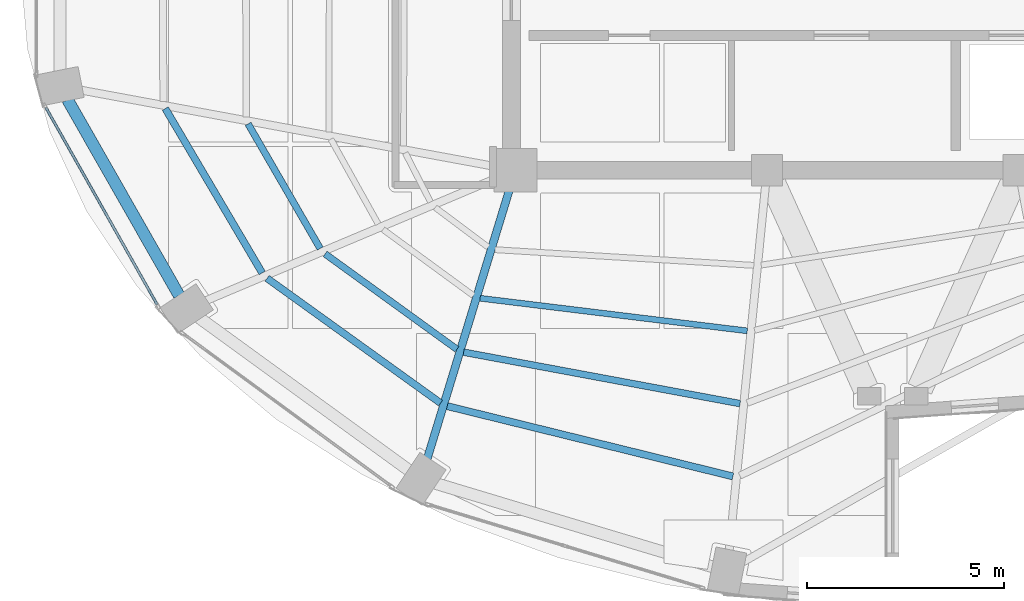
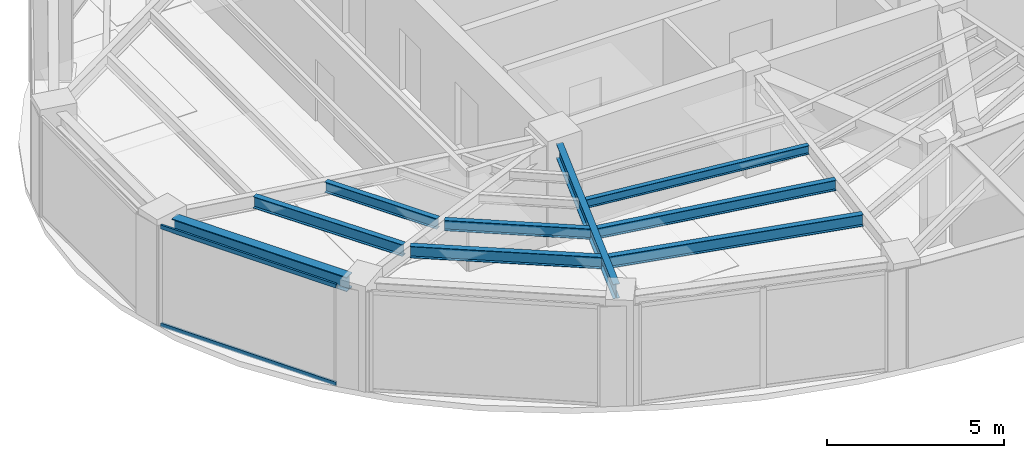
# One storey, part 3 of 22: 9 beams, 2 members, 1 element without a shape of its own.
"""IFC4 building model written with IfcOpenShell, lengths in metres."""

import ifcopenshell
import ifcopenshell.guid

model = None  # the IFC model being written
_history = None  # IfcOwnerHistory: only IFC2X3 demands one
_inside = {}  # id of a spatial element -> (the spatial element, [elements in it])
_under = {}  # id of a project, library or spatial element -> (it, [spatial elements below it])
_declared = {}  # id of a project -> (the project, [libraries it declares])
_typed = {}  # id of a type object -> (the type object, [elements of that type])
_made_of = {}  # id of a material, layer set ... -> (it, [elements and type objects made of it])


def new_model(schema):
    """Start an empty IFC model of exactly this schema.

    Asked for "IFC4X3", IfcOpenShell would pick the latest addendum, in which some entities
    have other attributes; the version numbers below select the first issue.
    IFC2X3 requires an IfcOwnerHistory on every rooted entity: one is made here for all.
    """
    global model, _history
    if schema == "IFC4X3":
        model = ifcopenshell.file(schema_version=(4, 3, 0, 0))
    else:
        model = ifcopenshell.file(schema=schema)
    _inside.clear()
    _under.clear()
    _declared.clear()
    _typed.clear()
    _made_of.clear()
    _history = None
    if model.schema == "IFC2X3":
        org = make("IfcOrganization", Name="unknown")
        user = make(
            "IfcPersonAndOrganization",
            ThePerson=make("IfcPerson", FamilyName="unknown"),
            TheOrganization=org,
        )
        app = make(
            "IfcApplication",
            ApplicationDeveloper=org,
            Version="unknown",
            ApplicationFullName="unknown",
            ApplicationIdentifier="unknown",
        )
        _history = make(
            "IfcOwnerHistory",
            OwningUser=user,
            OwningApplication=app,
            ChangeAction="ADDED",
            CreationDate=0,
        )
    return model


def make(cls, **values):
    """One entity of the class cls with the attributes given. An attribute that is None is left unset."""
    return model.create_entity(
        cls, **{name: value for name, value in values.items() if value is not None}
    )


def rooted(cls, **values):
    """An entity with a GlobalId (a new one), such as an element, a storey or a relation."""
    return make(cls, GlobalId=ifcopenshell.guid.new(), OwnerHistory=_history, **values)


def si_unit(unit_type, name, prefix=None):
    """IfcSIUnit, for example si_unit("LENGTHUNIT", "METRE", prefix="MILLI")."""
    return make("IfcSIUnit", UnitType=unit_type, Prefix=prefix, Name=name)


def assignment(units):
    """IfcUnitAssignment: the units of a project."""
    return None if units is None else make("IfcUnitAssignment", Units=units)


def point(xyz):
    """IfcCartesianPoint."""
    return None if xyz is None else make("IfcCartesianPoint", Coordinates=xyz)


def direction(xyz):
    """IfcDirection."""
    return None if xyz is None else make("IfcDirection", DirectionRatios=xyz)


def frame(location, z_axis=None, x_axis=None):
    """IfcAxis2Placement3D, a coordinate frame: its origin and axes. An axis left out is left unset."""
    return make(
        "IfcAxis2Placement3D",
        Location=point(location),
        Axis=direction(z_axis),
        RefDirection=direction(x_axis),
    )


def frame_2d(location, x_axis=None):
    """IfcAxis2Placement2D, a coordinate frame in the plane: its origin and x axis."""
    return make(
        "IfcAxis2Placement2D", Location=point(location), RefDirection=direction(x_axis)
    )


def origin():
    """The frame at (0, 0, 0) with its axes left unset."""
    return frame((0.0, 0.0, 0.0))


def origin_2d():
    """The frame at (0, 0) in the plane with its x axis left unset."""
    return frame_2d((0.0, 0.0))


def place(relative_to, where):
    """IfcLocalPlacement: puts the frame where relative to a parent placement (None: the world)."""
    return make(
        "IfcLocalPlacement", PlacementRelTo=relative_to, RelativePlacement=where
    )


def context(
    kind, dimensions, precision=None, world=None, true_north=None, identifier=None
):
    """IfcGeometricRepresentationContext, for example the 3D "Model" context."""
    return make(
        "IfcGeometricRepresentationContext",
        ContextIdentifier=identifier,
        ContextType=kind,
        CoordinateSpaceDimension=dimensions,
        Precision=precision,
        WorldCoordinateSystem=world,
        TrueNorth=true_north,
    )


def subcontext(parent, identifier, kind, view, scale=None):
    """IfcGeometricRepresentationSubContext, for example "Body" below "Model"."""
    return make(
        "IfcGeometricRepresentationSubContext",
        ContextIdentifier=identifier,
        ContextType=kind,
        ParentContext=parent,
        TargetScale=scale,
        TargetView=view,
    )


def project(units=None, contexts=None):
    """IfcProject with its units and contexts."""
    return rooted(
        "IfcProject",
        Name="project",
        RepresentationContexts=contexts,
        UnitsInContext=assignment(units),
    )


def spatial(cls, under=None, at=None, **own):
    """A site, building, storey or space (cls), placed at a placement, below another one or the project."""
    s = rooted(cls, ObjectPlacement=at, **own)
    if under is not None:
        _under.setdefault(under.id(), (under, []))[1].append(s)
    return s


def profile(cls, at=None, kind="AREA", **sizes):
    """A parametric profile (cls). Its sizes go by their IFC names, for example OverallWidth=200.0."""
    return make(cls, ProfileType=kind, Position=at, **sizes)


def hollow_rectangle(**sizes):
    """IfcRectangleHollowProfileDef."""
    return profile("IfcRectangleHollowProfileDef", **sizes)


def i_section(**sizes):
    """IfcIShapeProfileDef."""
    return profile("IfcIShapeProfileDef", **sizes)


def extrude(swept, where, along, depth):
    """IfcExtrudedAreaSolid: the profile swept, set in the frame where, extruded along a direction by depth."""
    return make(
        "IfcExtrudedAreaSolid",
        SweptArea=swept,
        Position=where,
        ExtrudedDirection=direction(along),
        Depth=depth,
    )


def shape(context_of_items, identifier, shape_type, items):
    """IfcShapeRepresentation: the items that make up one representation, for example the "Body"."""
    return make(
        "IfcShapeRepresentation",
        ContextOfItems=context_of_items,
        RepresentationIdentifier=identifier,
        RepresentationType=shape_type,
        Items=items,
    )


def material(Name=None, Category=None):
    """IfcMaterial."""
    return make("IfcMaterial", Name=Name, Category=Category)


def layer(
    of_material, thickness, ventilated=None, Name=None, Category=None, Priority=None
):
    """IfcMaterialLayer: one layer of a wall or slab, of a material (None: an air gap)."""
    return make(
        "IfcMaterialLayer",
        Material=of_material,
        LayerThickness=thickness,
        IsVentilated=ventilated,
        Name=Name,
        Category=Category,
        Priority=Priority,
    )


def layer_set(layers, Name=None):
    """IfcMaterialLayerSet."""
    return make("IfcMaterialLayerSet", MaterialLayers=layers, LayerSetName=Name)


def material_profile(
    of_material, cross_section, Name=None, Category=None, Priority=None
):
    """IfcMaterialProfile: a cross section and its material."""
    return make(
        "IfcMaterialProfile",
        Name=Name,
        Material=of_material,
        Profile=cross_section,
        Priority=Priority,
        Category=Category,
    )


def profile_set(profiles, Name=None, composite=None):
    """IfcMaterialProfileSet."""
    return make(
        "IfcMaterialProfileSet",
        Name=Name,
        MaterialProfiles=profiles,
        CompositeProfile=composite,
    )


def made_of(thing, what):
    """Note that an element or type object is made of a material, layer set ...; save() writes the relation."""
    if what is not None:
        _made_of.setdefault(what.id(), (what, []))[1].append(thing)
    return thing


def type_object(cls, material=None, **own):
    """A type object (cls), such as IfcWallType, which elements share."""
    return made_of(rooted(cls, **own), material)


def element(
    cls,
    number,
    at=None,
    inside=None,
    cuts=None,
    type_object=None,
    material=None,
    context=None,
    identifier="Body",
    shape_type=None,
    held_by="IfcProductDefinitionShape",
    body=None,
    shapes=None,
    **own,
):
    """One element of the class cls, such as IfcWall. Its Tag is "e" and its number.

    at: its placement. inside: the storey or other place that contains it. cuts: it is an
    opening in that element (IfcRelVoidsElement). A single representation is given by context,
    identifier, shape_type and body (its items); several are given by shapes. held_by: the class
    of the entity that holds the representations. save() writes the other relations.
    """
    e = rooted(cls, Tag="e%d" % number, ObjectPlacement=at, **own)
    if body is not None:
        shapes = [shape(context, identifier, shape_type, body)]
    if shapes is not None:
        e.Representation = make(held_by, Representations=shapes)
    if inside is not None:
        _inside.setdefault(inside.id(), (inside, []))[1].append(e)
    if cuts is not None:
        rooted(
            "IfcRelVoidsElement", RelatingBuildingElement=cuts, RelatedOpeningElement=e
        )
    if type_object is not None:
        _typed.setdefault(type_object.id(), (type_object, []))[1].append(e)
    return made_of(e, material)


def aggregate(whole, parts):
    """IfcRelAggregates: a whole, such as a stair, and the parts it consists of."""
    return rooted("IfcRelAggregates", RelatingObject=whole, RelatedObjects=parts)


def save(model, path):
    """Write the relations noted so far, then the file.

    IfcRelAggregates (storeys below a building ...), IfcRelContainedInSpatialStructure (elements
    in a storey), IfcRelDefinesByType, IfcRelAssociatesMaterial and IfcRelDeclares: one each for
    every whole, place, type object, material and project.
    """
    for whole, parts in _under.values():
        aggregate(whole, parts)
    for where, things in _inside.values():
        rooted(
            "IfcRelContainedInSpatialStructure",
            RelatedElements=things,
            RelatingStructure=where,
        )
    for kind, things in _typed.values():
        rooted("IfcRelDefinesByType", RelatedObjects=things, RelatingType=kind)
    for what, things in _made_of.values():
        rooted("IfcRelAssociatesMaterial", RelatedObjects=things, RelatingMaterial=what)
    for by, libraries in _declared.values():
        rooted("IfcRelDeclares", RelatingContext=by, RelatedDefinitions=libraries)
    model.write(path)


model = new_model("IFC4")

# Units and contexts
model_context = context("Model", 3, precision=1e-05, world=origin(), true_north=direction((0.0, 1.0)))
body_context = subcontext(model_context, "Body", "Model", "MODEL_VIEW")
ifc_project = project(units=[si_unit("LENGTHUNIT", "METRE"), si_unit("AREAUNIT", "SQUARE_METRE"), si_unit("VOLUMEUNIT", "CUBIC_METRE"), si_unit("PLANEANGLEUNIT", "RADIAN"), si_unit("MASSUNIT", "GRAM", prefix="KILO")], contexts=[model_context])

# Site, building, storey
site_placement = place(None, origin())
site = spatial("IfcSite", under=ifc_project, at=site_placement, CompositionType="ELEMENT")
building_placement = place(site_placement, origin())
building = spatial("IfcBuilding", under=site, at=building_placement, Name="Lazwardi Medical Tower", CompositionType="ELEMENT")
storey_placement = place(building_placement, frame((0.0, 0.0, 258.672119140625)))
storey = spatial("IfcBuildingStorey", under=building, at=storey_placement, Name="L67", CompositionType="ELEMENT", Elevation=258.672119140625)

# Beams
ifc_material_1 = material(Name="Steel S355", Category="steel")
ifc_material_profile_1 = material_profile(ifc_material_1, i_section(OverallWidth=0.300048828125, OverallDepth=0.5, WebThickness=0.014404296875, FlangeThickness=0.028076171875, at=origin_2d()), Name="HEB 500")
ifc_profile_set_1 = profile_set([ifc_material_profile_1], Name="Steel S355")
beam_type_1 = type_object("IfcBeamType", Name="BM-RB-Z4", PredefinedType="BEAM", material=ifc_profile_set_1)
beam_1_placement = place(storey_placement, frame((15.008056640625, 22.1982421875, 3.197998046875), z_axis=(0.495125273299, -0.868821594886, 0.0), x_axis=(0.868821594886, 0.495125273299, 0.0)))
element("IfcBeam", 1, at=beam_1_placement, inside=storey, type_object=beam_type_1, Name="Ring beam RB-05 B13 L67", PredefinedType="BEAM", context=body_context, shape_type="SweptSolid", body=[
    extrude(i_section(OverallWidth=0.300048828125, OverallDepth=0.5, WebThickness=0.014404296875, FlangeThickness=0.028076171875, at=origin_2d()), origin(), (0.0, 0.0, 1.0), 5.734130859375),
])
ifc_material_profile_2 = material_profile(ifc_material_1, i_section(OverallWidth=0.199951171875, OverallDepth=0.5, WebThickness=0.01025390625, FlangeThickness=0.01611328125, at=origin_2d()), Name="IPE 500")
ifc_profile_set_2 = profile_set([ifc_material_profile_2], Name="Steel S355")
beam_type_2 = type_object("IfcBeamType", Name="BM-RG-W3", PredefinedType="BEAM", material=ifc_profile_set_2)
beam_2_placement = place(storey_placement, frame((24.156005859375, 13.0576171875, 3.197998046875), z_axis=(0.292276716539, 0.956333791607, 0.0), x_axis=(-0.956333791607, 0.292276716539, 0.0)))
element("IfcBeam", 2, at=beam_2_placement, inside=storey, type_object=beam_type_2, Name="Radial girder RG-04 R15 L67", PredefinedType="BEAM", context=body_context, shape_type="SweptSolid", body=[
    extrude(i_section(OverallWidth=0.199951171875, OverallDepth=0.5, WebThickness=0.01025390625, FlangeThickness=0.01611328125, at=origin_2d()), origin(), (0.0, 0.0, 1.0), 7.142822265625),
])
ifc_material_profile_3 = material_profile(ifc_material_1, i_section(OverallWidth=0.179931640625, OverallDepth=0.39990234375, WebThickness=0.008544921875, FlangeThickness=0.013427734375, at=origin_2d()), Name="IPE 400")
ifc_profile_set_3 = profile_set([ifc_material_profile_3], Name="Steel S355")
beam_type_3 = type_object("IfcBeamType", Name="BM-SJ-01", PredefinedType="JOIST", material=ifc_profile_set_3)
beam_3_placement = place(storey_placement, frame((17.495849609375, 21.969482421875, 3.247802734375), z_axis=(0.507710311367, -0.861527851977, 0.0), x_axis=(0.861527851977, 0.507710311367, 0.0)))
element("IfcBeam", 3, at=beam_3_placement, inside=storey, type_object=beam_type_3, Name="Secondary joist SJ-01 R1 B13 L67", PredefinedType="JOIST", context=body_context, shape_type="SweptSolid", body=[
    extrude(i_section(OverallWidth=0.179931640625, OverallDepth=0.39990234375, WebThickness=0.008544921875, FlangeThickness=0.013427734375, at=origin_2d()), origin(), (0.0, 0.0, 1.0), 4.852783203125),
])
beam_4_placement = place(storey_placement, frame((20.085205078125, 17.651123046875, 3.247802734375), z_axis=(0.811889581337, -0.58381102055, 0.0), x_axis=(0.58381102055, 0.811889581337, 0.0)))
element("IfcBeam", 4, at=beam_4_placement, inside=storey, type_object=beam_type_3, Name="Secondary joist SJ-01 R1 B14 L67", PredefinedType="JOIST", context=body_context, shape_type="SweptSolid", body=[
    extrude(i_section(OverallWidth=0.179931640625, OverallDepth=0.39990234375, WebThickness=0.008544921875, FlangeThickness=0.013427734375, at=origin_2d()), origin(), (0.0, 0.0, 1.0), 5.433349609375),
])
beam_5_placement = place(storey_placement, frame((24.665771484375, 14.40087890625, 3.247802734375), z_axis=(0.971041669317, -0.238910184904, 0.0), x_axis=(0.238910184904, 0.971041669317, 0.0)))
element("IfcBeam", 5, at=beam_5_placement, inside=storey, type_object=beam_type_3, Name="Secondary joist SJ-01 R1 B15 L67", PredefinedType="JOIST", context=body_context, shape_type="SweptSolid", body=[
    extrude(i_section(OverallWidth=0.179931640625, OverallDepth=0.39990234375, WebThickness=0.008544921875, FlangeThickness=0.013427734375, at=origin_2d()), origin(), (0.0, 0.0, 1.0), 7.482421875),
])
ifc_material_profile_4 = material_profile(ifc_material_1, i_section(OverallWidth=0.169921875, OverallDepth=0.360107421875, WebThickness=0.008056640625, FlangeThickness=0.0126953125, at=origin_2d()), Name="IPE 360")
ifc_profile_set_4 = profile_set([ifc_material_profile_4], Name="Steel S355")
beam_type_4 = type_object("IfcBeamType", Name="BM-SJ-02", PredefinedType="JOIST", material=ifc_profile_set_4)
beam_6_placement = place(storey_placement, frame((19.601806640625, 21.58056640625, 3.267822265625), z_axis=(0.500655179543, -0.865646805109, 0.0), x_axis=(0.865646805109, 0.500655179543, 0.0)))
element("IfcBeam", 6, at=beam_6_placement, inside=storey, type_object=beam_type_4, Name="Secondary joist SJ-02 R2 B13 L67", PredefinedType="JOIST", context=body_context, shape_type="SweptSolid", body=[
    extrude(i_section(OverallWidth=0.169921875, OverallDepth=0.360107421875, WebThickness=0.008056640625, FlangeThickness=0.0126953125, at=origin_2d()), origin(), (0.0, 0.0, 1.0), 3.662109375),
])
beam_7_placement = place(storey_placement, frame((21.559814453125, 18.2724609375, 3.267822265625), z_axis=(0.810164229155, -0.586202969796, 0.0), x_axis=(0.586202969796, 0.810164229155, 0.0)))
element("IfcBeam", 7, at=beam_7_placement, inside=storey, type_object=beam_type_4, Name="Secondary joist SJ-02 R2 B14 L67", PredefinedType="JOIST", context=body_context, shape_type="SweptSolid", body=[
    extrude(i_section(OverallWidth=0.169921875, OverallDepth=0.360107421875, WebThickness=0.008056640625, FlangeThickness=0.0126953125, at=origin_2d()), origin(), (0.0, 0.0, 1.0), 4.14013671875),
])
beam_8_placement = place(storey_placement, frame((25.08447265625, 15.7724609375, 3.267822265625), z_axis=(0.983132476587, -0.182894870019, 0.0), x_axis=(0.182894870019, 0.983132476587, 0.0)))
element("IfcBeam", 8, at=beam_8_placement, inside=storey, type_object=beam_type_4, Name="Secondary joist SJ-02 R2 B15 L67", PredefinedType="JOIST", context=body_context, shape_type="SweptSolid", body=[
    extrude(i_section(OverallWidth=0.169921875, OverallDepth=0.360107421875, WebThickness=0.008056640625, FlangeThickness=0.0126953125, at=origin_2d()), origin(), (0.0, 0.0, 1.0), 7.15087890625),
])
ifc_material_profile_5 = material_profile(ifc_material_1, i_section(OverallWidth=0.14990234375, OverallDepth=0.300048828125, WebThickness=0.007080078125, FlangeThickness=0.0107421875, at=origin_2d()), Name="IPE 300")
ifc_profile_set_5 = profile_set([ifc_material_profile_5], Name="Steel S355")
beam_type_5 = type_object("IfcBeamType", Name="BM-SJ-03", PredefinedType="JOIST", material=ifc_profile_set_5)
beam_9_placement = place(storey_placement, frame((25.5029296875, 17.14453125, 3.2978515625), z_axis=(0.992634689535, -0.121146081783, 0.0), x_axis=(0.121146081783, 0.992634689535, 0.0)))
element("IfcBeam", 9, at=beam_9_placement, inside=storey, type_object=beam_type_5, Name="Secondary joist SJ-03 R3 B15 L67", PredefinedType="JOIST", context=body_context, shape_type="SweptSolid", body=[
    extrude(i_section(OverallWidth=0.14990234375, OverallDepth=0.300048828125, WebThickness=0.007080078125, FlangeThickness=0.0107421875, at=origin_2d()), origin(), (0.0, 0.0, 1.0), 6.845947265625),
])

# Curtain wall, members
ifc_material_2 = material(Name="Anodised bronze aluminium and solar control glazing", Category="aluminium")
ifc_layer = layer(ifc_material_2, 0.18994140625)
ifc_layer_set = layer_set([ifc_layer], Name="Anodised bronze aluminium and solar control glazing")
curtain_wall_type = type_object("IfcCurtainWallType", Name="CW-SYS-04", PredefinedType="NOTDEFINED", material=ifc_layer_set)
curtain_wall_placement = place(storey_placement, origin())
curtain_wall = element("IfcCurtainWall", 10, at=curtain_wall_placement, inside=storey, type_object=curtain_wall_type, Name="L67 Unitised bronze curtain wall CW-04", PredefinedType="NOTDEFINED")
ifc_material_3 = material(Name="Anodised bronze aluminium", Category="aluminium")
ifc_material_profile_6 = material_profile(ifc_material_3, hollow_rectangle(XDim=0.06494140625, YDim=0.139892578125, WallThickness=0.00341796875, at=origin_2d()), Name="ALU-TRANSOM 140x65x3.5")
ifc_profile_set_6 = profile_set([ifc_material_profile_6], Name="Anodised bronze aluminium")
member_type = type_object("IfcMemberType", Name="CW-TRN-03", PredefinedType="USERDEFINED", material=ifc_profile_set_6)
member_1_placement = place(storey_placement, frame((14.458740234375, 21.993408203125, 0.032470703125), z_axis=(0.491897887635, -0.870652897623, 0.0), x_axis=(0.870652897623, 0.491897887635, 0.0)))
member_1 = element("IfcMember", 11, at=member_1_placement, type_object=member_type, Name="CW-04 transom 1.1", ObjectType="TRANSOM", PredefinedType="USERDEFINED", context=body_context, shape_type="SweptSolid", body=[
    extrude(hollow_rectangle(XDim=0.06494140625, YDim=0.139892578125, WallThickness=0.00341796875, at=origin_2d()), origin(), (0.0, 0.0, 1.0), 5.7548828125),
])
member_2_placement = place(storey_placement, frame((14.458740234375, 21.993408203125, 3.415283203125), z_axis=(0.491897887635, -0.870652897623, 0.0), x_axis=(0.870652897623, 0.491897887635, 0.0)))
member_2 = element("IfcMember", 12, at=member_2_placement, type_object=member_type, Name="CW-04 transom 1.2", ObjectType="TRANSOM", PredefinedType="USERDEFINED", context=body_context, shape_type="SweptSolid", body=[
    extrude(hollow_rectangle(XDim=0.06494140625, YDim=0.139892578125, WallThickness=0.00341796875, at=origin_2d()), origin(), (0.0, 0.0, 1.0), 5.7548828125),
])
aggregate(curtain_wall, [member_1, member_2])

save(model, "model.ifc")
